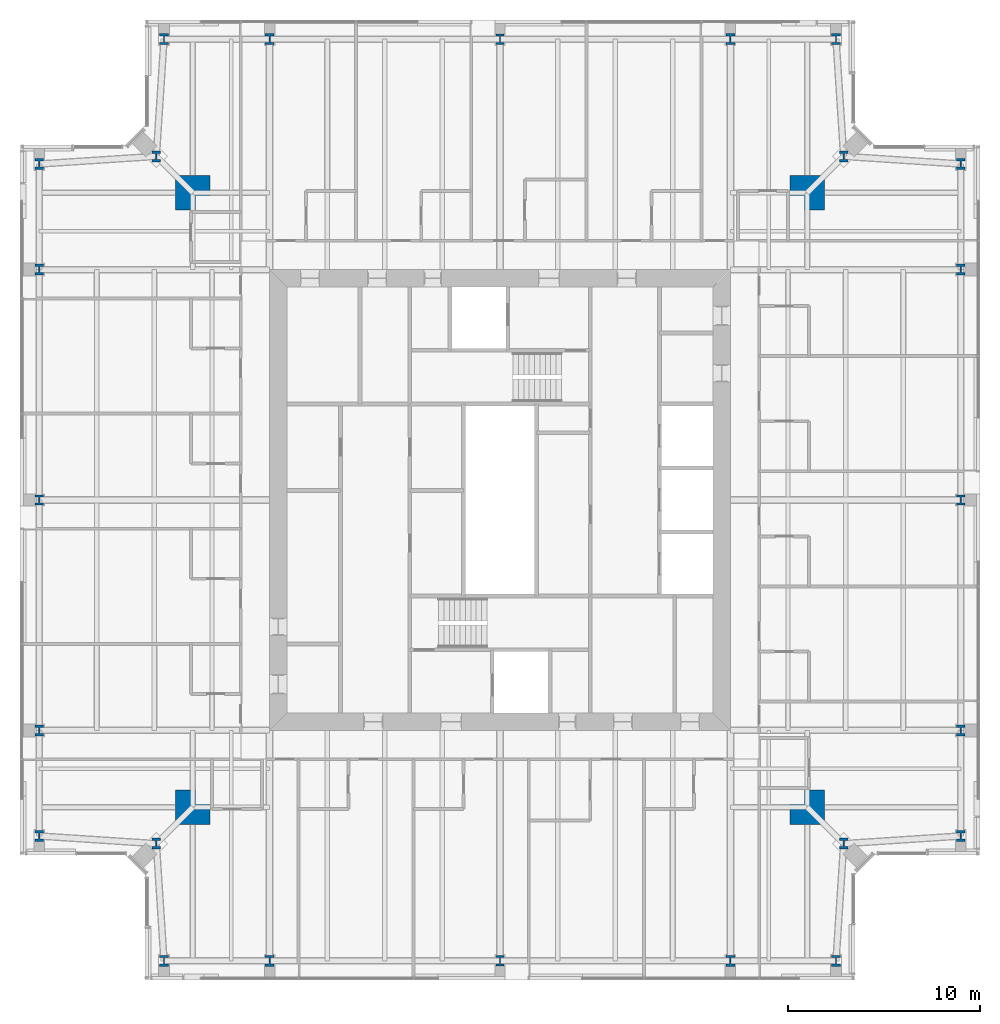
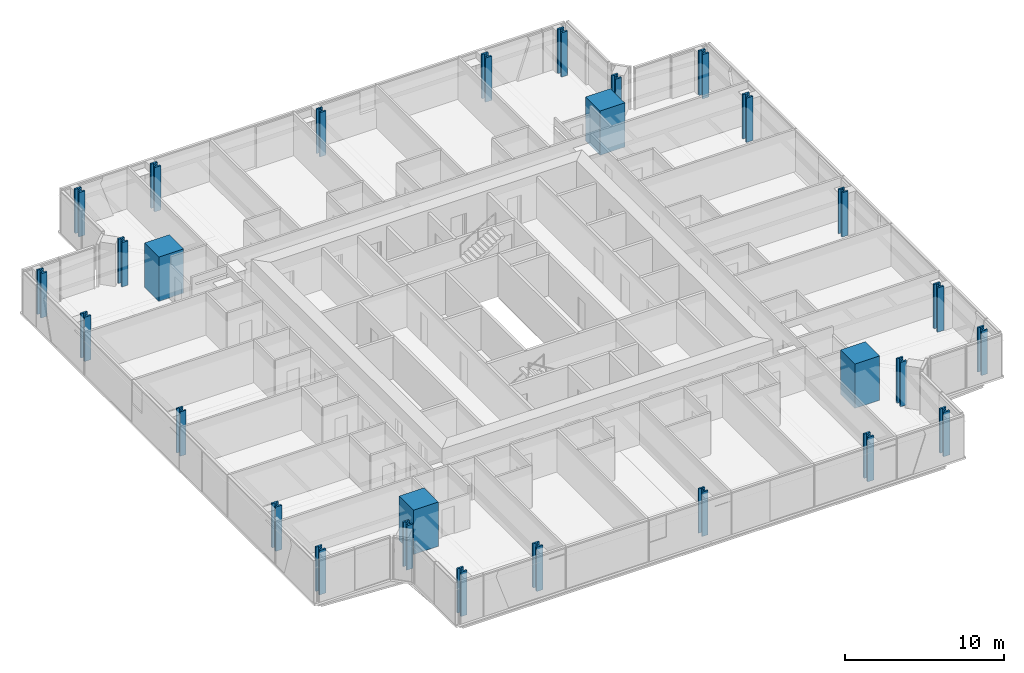
# One storey, part 1 of 20: 28 columns.
"""IFC4 building model written with IfcOpenShell, lengths in metres."""

from ifc_helpers import new_model, si_unit, direction, frame, origin, origin_2d, place, context, subcontext, project, spatial, rectangle, i_section, extrude, material, material_profile, profile_set, type_object, element, save


model = new_model("IFC4")

# Units and contexts
model_context = context("Model", 3, precision=1e-05, world=origin(), true_north=direction((0.0, 1.0)))
body_context = subcontext(model_context, "Body", "Model", "MODEL_VIEW")
ifc_project = project(units=[si_unit("LENGTHUNIT", "METRE"), si_unit("AREAUNIT", "SQUARE_METRE"), si_unit("VOLUMEUNIT", "CUBIC_METRE"), si_unit("PLANEANGLEUNIT", "RADIAN"), si_unit("MASSUNIT", "GRAM", prefix="KILO")], contexts=[model_context])

# Site, building, storey
site_placement = place(None, origin())
site = spatial("IfcSite", under=ifc_project, at=site_placement, CompositionType="ELEMENT")
building_placement = place(site_placement, origin())
building = spatial("IfcBuilding", under=site, at=building_placement, Name="Fenwick Lantern Interchange", CompositionType="ELEMENT")
storey_placement = place(building_placement, frame((0.0, 0.0, 252.60009765625)))
storey = spatial("IfcBuildingStorey", under=building, at=storey_placement, Name="L59", CompositionType="ELEMENT", Elevation=252.60009765625)

# Columns
ifc_material_1 = material(Name="Concrete f'c 70 MPa", Category="concrete")
ifc_material_profile_1 = material_profile(ifc_material_1, rectangle(XDim=1.800048828125, YDim=1.800048828125, at=origin_2d()), Name="RC1800X1800")
ifc_profile_set_1 = profile_set([ifc_material_profile_1], Name="Concrete f'c 70 MPa")
column_type_1 = type_object("IfcColumnType", Name="MEGA COLUMN RC1800X1800", PredefinedType="COLUMN", material=ifc_profile_set_1)
for number, where, z_axis, x_axis, name in (
    (1, (9.0, 9.0, 0.0), (0.0, 0.0, 1.0), (1.0, 0.0, 0.0), "L59/M1"),
    (2, (41.0, 9.0, 0.0), (0.0, 0.0, 1.0), (1.0, 0.0, 0.0), "L59/M2"),
    (3, (41.0, 41.0, 0.0), (0.0, 0.0, 1.0), (1.0, 0.0, 0.0), "L59/M3"),
    (4, (9.0, 41.0, 0.0), (0.0, 0.0, 1.0), (1.0, 0.0, 0.0), "L59/M4"),
):
    element("IfcColumn", number, at=place(storey_placement, frame(where, z_axis=z_axis, x_axis=x_axis)), inside=storey, type_object=column_type_1, Name=name, PredefinedType="COLUMN", context=body_context, shape_type="SweptSolid", body=[
        extrude(rectangle(XDim=1.800048828125, YDim=1.800048828125, at=origin_2d()), origin(), (0.0, 0.0, 1.0), 3.39990234375),
    ])
ifc_material_2 = material(Name="Steel ASTM A992 Grade 50", Category="steel")
ifc_material_profile_2 = material_profile(ifc_material_2, i_section(OverallWidth=0.44189453125, OverallDepth=0.53076171875, WebThickness=0.06591796875, FlangeThickness=0.105712890625, at=origin_2d()), Name="W14X605")
ifc_profile_set_2 = profile_set([ifc_material_profile_2], Name="Steel ASTM A992 Grade 50")
column_type_2 = type_object("IfcColumnType", Name="PERIMETER COLUMN W14X605", PredefinedType="COLUMN", material=ifc_profile_set_2)
for number, where, z_axis, x_axis, name in (
    (5, (25.0, 1.0, 0.0), (0.0, 0.0, 1.0), (1.0, 0.0, 0.0), "L59/CS3"),
    (6, (49.0, 25.0, 0.0), (0.0, 0.0, 1.0), (1.0, 0.0, 0.0), "L59/CE3"),
    (7, (25.0, 49.0, 0.0), (0.0, 0.0, 1.0), (1.0, 0.0, 0.0), "L59/CN3"),
    (8, (1.0, 25.0, 0.0), (0.0, 0.0, 1.0), (1.0, 0.0, 0.0), "L59/CW3"),
):
    element("IfcColumn", number, at=place(storey_placement, frame(where, z_axis=z_axis, x_axis=x_axis)), inside=storey, type_object=column_type_2, Name=name, PredefinedType="COLUMN", context=body_context, shape_type="SweptSolid", body=[
        extrude(i_section(OverallWidth=0.44189453125, OverallDepth=0.53076171875, WebThickness=0.06591796875, FlangeThickness=0.105712890625, at=origin_2d()), origin(), (0.0, 0.0, 1.0), 3.39990234375),
    ])
ifc_material_profile_3 = material_profile(ifc_material_2, i_section(OverallWidth=0.45458984375, OverallDepth=0.56884765625, WebThickness=0.077880859375, FlangeThickness=0.124755859375, at=origin_2d()), Name="W14X730")
ifc_profile_set_3 = profile_set([ifc_material_profile_3], Name="Steel ASTM A992 Grade 50")
column_type_3 = type_object("IfcColumnType", Name="PERIMETER COLUMN W14X730", PredefinedType="COLUMN", material=ifc_profile_set_3)
for number, where, z_axis, x_axis, name in (
    (9, (7.5, 1.0, 0.0), (0.0, 0.0, 1.0), (1.0, 0.0, 0.0), "L59/CS1"),
    (10, (13.0, 1.0, 0.0), (0.0, 0.0, 1.0), (1.0, 0.0, 0.0), "L59/CS2"),
    (11, (37.0, 1.0, 0.0), (0.0, 0.0, 1.0), (1.0, 0.0, 0.0), "L59/CS4"),
    (12, (42.5, 1.0, 0.0), (0.0, 0.0, 1.0), (1.0, 0.0, 0.0), "L59/CS5"),
    (13, (42.89990234375, 7.10009765625, 0.0), (0.0, 0.0, 1.0), (1.0, 0.0, 0.0), "L59/CSR"),
    (14, (49.0, 7.5, 0.0), (0.0, 0.0, 1.0), (1.0, 0.0, 0.0), "L59/CE1"),
    (15, (49.0, 13.0, 0.0), (0.0, 0.0, 1.0), (1.0, 0.0, 0.0), "L59/CE2"),
    (16, (49.0, 37.0, 0.0), (0.0, 0.0, 1.0), (1.0, 0.0, 0.0), "L59/CE4"),
    (17, (49.0, 42.5, 0.0), (0.0, 0.0, 1.0), (1.0, 0.0, 0.0), "L59/CE5"),
    (18, (42.89990234375, 42.89990234375, 0.0), (0.0, 0.0, 1.0), (1.0, 0.0, 0.0), "L59/CER"),
    (19, (42.5, 49.0, 0.0), (0.0, 0.0, 1.0), (1.0, 0.0, 0.0), "L59/CN1"),
    (20, (37.0, 49.0, 0.0), (0.0, 0.0, 1.0), (1.0, 0.0, 0.0), "L59/CN2"),
    (21, (13.0, 49.0, 0.0), (0.0, 0.0, 1.0), (1.0, 0.0, 0.0), "L59/CN4"),
    (22, (7.5, 49.0, 0.0), (0.0, 0.0, 1.0), (1.0, 0.0, 0.0), "L59/CN5"),
    (23, (7.10009765625, 42.89990234375, 0.0), (0.0, 0.0, 1.0), (1.0, 0.0, 0.0), "L59/CNR"),
    (24, (1.0, 42.5, 0.0), (0.0, 0.0, 1.0), (1.0, 0.0, 0.0), "L59/CW1"),
    (25, (1.0, 37.0, 0.0), (0.0, 0.0, 1.0), (1.0, 0.0, 0.0), "L59/CW2"),
    (26, (1.0, 13.0, 0.0), (0.0, 0.0, 1.0), (1.0, 0.0, 0.0), "L59/CW4"),
    (27, (1.0, 7.5, 0.0), (0.0, 0.0, 1.0), (1.0, 0.0, 0.0), "L59/CW5"),
    (28, (7.10009765625, 7.10009765625, 0.0), (0.0, 0.0, 1.0), (1.0, 0.0, 0.0), "L59/CWR"),
):
    element("IfcColumn", number, at=place(storey_placement, frame(where, z_axis=z_axis, x_axis=x_axis)), inside=storey, type_object=column_type_3, Name=name, PredefinedType="COLUMN", context=body_context, shape_type="SweptSolid", body=[
        extrude(i_section(OverallWidth=0.45458984375, OverallDepth=0.56884765625, WebThickness=0.077880859375, FlangeThickness=0.124755859375, at=origin_2d()), origin(), (0.0, 0.0, 1.0), 3.39990234375),
    ])

save(model, "model.ifc")
